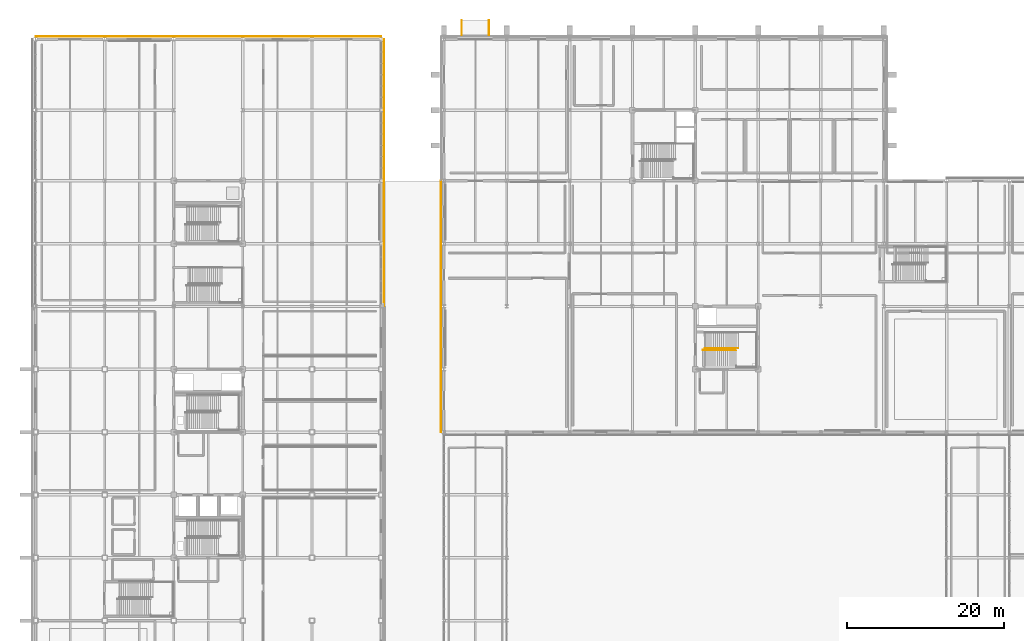
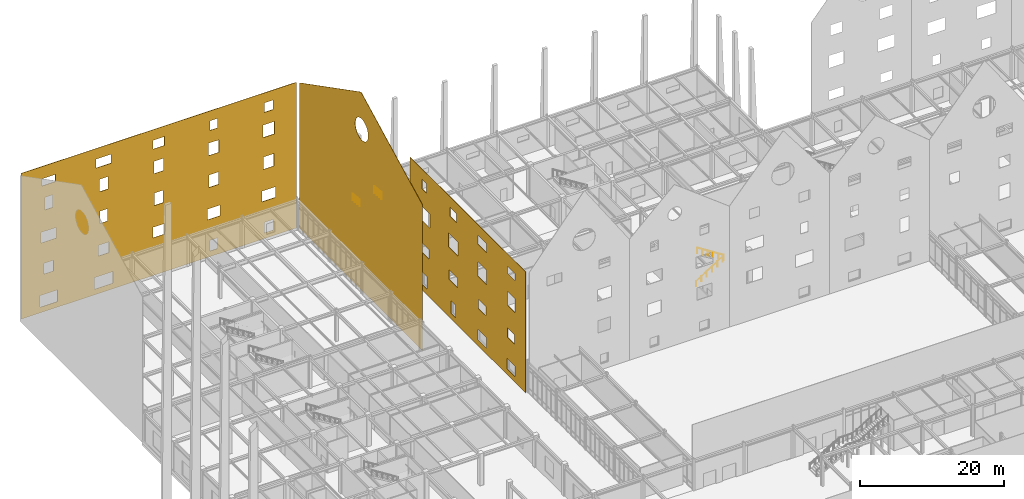
# One storey, part 110 of 119: 4 railings, 3 coverings, 41 openings.
"""IFC4 building model written with IfcOpenShell, lengths in metres."""

from ifc_helpers import new_model, si_unit, direction, frame, frame_2d, origin, origin_2d, place, context, subcontext, project, spatial, polyline, rectangle, circle, outline, extrude, material, layer, layer_set, type_object, element, save


model = new_model("IFC4")

# Units and contexts
model_context = context("Model", 3, precision=1e-05, world=origin(), true_north=direction((0.0, 1.0)))
body_context = subcontext(model_context, "Body", "Model", "MODEL_VIEW")
ifc_project = project(units=[si_unit("LENGTHUNIT", "METRE"), si_unit("AREAUNIT", "SQUARE_METRE"), si_unit("VOLUMEUNIT", "CUBIC_METRE"), si_unit("PLANEANGLEUNIT", "RADIAN"), si_unit("MASSUNIT", "GRAM", prefix="KILO")], contexts=[model_context])

# Site, building, storey
site_placement = place(None, origin())
site = spatial("IfcSite", under=ifc_project, at=site_placement, CompositionType="ELEMENT")
building_placement = place(site_placement, origin())
building = spatial("IfcBuilding", under=site, at=building_placement, Name="Zhaolan Boulevard Law Courts", CompositionType="ELEMENT")
storey_placement = place(building_placement, origin())
storey = spatial("IfcBuildingStorey", under=building, at=storey_placement, Name="L00", CompositionType="ELEMENT", Elevation=0.0)

# Railings
ifc_material_1 = material(Name="Brushed stainless steel tubular handrail", Category="steel")
railing_type_1 = type_object("IfcRailingType", Name="STAIR HANDRAIL 900", PredefinedType="HANDRAIL", material=ifc_material_1)
railing_1_placement = place(storey_placement, frame((84.949951171875, 72.449951171875, 0.0)))
element("IfcRailing", 1, at=railing_1_placement, inside=storey, type_object=railing_type_1, Name="Stair Handrail HR-ST08-L00-1", PredefinedType="HANDRAIL", context=body_context, shape_type="SweptSolid", body=[
    extrude(circle(Radius=0.0224609375, at=origin_2d()), frame((0.0, 0.0, 0.87744140625), z_axis=(0.843501457581, 0.0, 0.537126885437), x_axis=(0.0, 1.0, 0.0)), (0.0, 0.0, 1.0), 5.026611328125),
    extrude(circle(Radius=0.01904296875, at=origin_2d()), origin(), (0.0, 0.0, 1.0), 0.85498046875),
    extrude(circle(Radius=0.01904296875, at=origin_2d()), frame((0.847900390625, 0.0, 0.5400390625)), (0.0, 0.0, 1.0), 0.85498046875),
    extrude(circle(Radius=0.01904296875, at=origin_2d()), frame((1.696044921875, 0.0, 1.080078125)), (0.0, 0.0, 1.0), 0.85498046875),
    extrude(circle(Radius=0.01904296875, at=origin_2d()), frame((2.5439453125, 0.0, 1.619873046875)), (0.0, 0.0, 1.0), 0.85498046875),
    extrude(circle(Radius=0.01904296875, at=origin_2d()), frame((3.39208984375, 0.0, 2.159912109375)), (0.0, 0.0, 1.0), 0.85498046875),
    extrude(circle(Radius=0.01904296875, at=origin_2d()), frame((4.239990234375, 0.0, 2.699951171875)), (0.0, 0.0, 1.0), 0.85498046875),
])
railing_2_placement = place(storey_placement, frame((89.47509765625, 72.669921875, 2.699951171875)))
element("IfcRailing", 2, at=railing_2_placement, inside=storey, type_object=railing_type_1, Name="Stair Handrail HR-ST08-L00-2", PredefinedType="HANDRAIL", context=body_context, shape_type="SweptSolid", body=[
    extrude(circle(Radius=0.0224609375, at=origin_2d()), frame((0.0, 0.0, 0.87744140625), z_axis=(-0.843501457581, 0.0, 0.537126885437), x_axis=(0.0, -1.0, 0.0)), (0.0, 0.0, 1.0), 5.026611328125),
    extrude(circle(Radius=0.01904296875, at=origin_2d()), origin(), (0.0, 0.0, 1.0), 0.85498046875),
    extrude(circle(Radius=0.01904296875, at=origin_2d()), frame((-0.847900390625, 0.0, 0.5400390625)), (0.0, 0.0, 1.0), 0.85498046875),
    extrude(circle(Radius=0.01904296875, at=origin_2d()), frame((-1.696044921875, 0.0, 1.080078125)), (0.0, 0.0, 1.0), 0.85498046875),
    extrude(circle(Radius=0.01904296875, at=origin_2d()), frame((-2.5439453125, 0.0, 1.619873046875)), (0.0, 0.0, 1.0), 0.85498046875),
    extrude(circle(Radius=0.01904296875, at=origin_2d()), frame((-3.39208984375, 0.0, 2.159912109375)), (0.0, 0.0, 1.0), 0.85498046875),
    extrude(circle(Radius=0.01904296875, at=origin_2d()), frame((-4.239990234375, 0.0, 2.699951171875)), (0.0, 0.0, 1.0), 0.85498046875),
])
ifc_material_2 = material(Name="Powder-coated steel baluster guardrail", Category="steel")
railing_type_2 = type_object("IfcRailingType", Name="STAIR WELL GUARDRAIL 1120", PredefinedType="GUARDRAIL", material=ifc_material_2)
for number, where, name in (
    (3, (54.260009765625, 112.530029296875, 0.0), "Accessible Ramp Guardrail RHR-04"),
    (4, (57.739990234375, 112.530029296875, 0.0), "Accessible Ramp Guardrail RHR-04B"),
):
    element("IfcRailing", number, at=place(storey_placement, frame(where)), inside=storey, type_object=railing_type_2, Name=name, PredefinedType="GUARDRAIL", context=body_context, shape_type="SweptSolid", body=[
        extrude(circle(Radius=0.02392578125, at=origin_2d()), frame((0.0, 0.0, 1.09619140625), z_axis=(0.0, 0.996549253167, -0.083003530115), x_axis=(-1.0, 0.0, 0.0)), (0.0, 0.0, 1.0), 1.926513671875),
        extrude(circle(Radius=0.02099609375, at=origin_2d()), origin(), (0.0, 0.0, 1.0), 1.072021484375),
        extrude(circle(Radius=0.02099609375, at=origin_2d()), frame((0.0, 0.639892578125, -0.05322265625)), (0.0, 0.0, 1.0), 1.072021484375),
        extrude(circle(Radius=0.02099609375, at=origin_2d()), frame((0.0, 1.280029296875, -0.106689453125)), (0.0, 0.0, 1.0), 1.072021484375),
        extrude(circle(Radius=0.02099609375, at=origin_2d()), frame((0.0, 1.919921875, -0.159912109375)), (0.0, 0.0, 1.0), 1.072021484375),
    ])

# Covering, openings
ifc_material_3 = material(Name="Pale mist-grey standing-seam Al-Mg-Mn zinc-titanium")
ifc_layer = layer(ifc_material_3, 0.050048828125)
ifc_layer_set = layer_set([ifc_layer])
covering_type = type_object("IfcCoveringType", Name="STANDING SEAM CLADDING 50", PredefinedType="CLADDING", material=ifc_layer_set)
covering_1_placement = place(storey_placement, frame((51.635009765625, 94.0, 0.0), z_axis=(0.0, 0.0, 1.0), x_axis=(0.0, -1.0, 0.0)))
covering_1 = element("IfcCovering", 5, at=covering_1_placement, inside=storey, type_object=covering_type, Name="Standing-Seam Metal Wall Wrap SSC-029", PredefinedType="CLADDING", context=body_context, shape_type="SweptSolid", body=[
    extrude(rectangle(XDim=32.0, YDim=0.050048828125, at=frame_2d((16.0, 0.0))), origin(), (0.0, 0.0, 1.0), 20.449951171875),
])
opening_1_placement = place(storey_placement, frame((51.635009765625, 67.10009765625, 0.949951171875), z_axis=(0.0, 0.0, 1.0), x_axis=(0.0, -1.0, 0.0)))
element("IfcOpeningElement", 6, at=opening_1_placement, cuts=covering_1, Name="Cladding Void WIN-L00-055", PredefinedType="OPENING", context=body_context, shape_type="SweptSolid", body=[
    extrude(rectangle(XDim=2.199951171875, YDim=1.800048828125, at=frame_2d((1.10009765625, 0.89990234375))), frame((0.0, 0.14990234375, 0.0), z_axis=(0.0, -1.0, 0.0), x_axis=(1.0, 0.0, 0.0)), (0.0, 0.0, 1.0), 0.300048828125),
])
opening_2_placement = place(storey_placement, frame((51.635009765625, 75.199951171875, 0.949951171875), z_axis=(0.0, 0.0, 1.0), x_axis=(0.0, -1.0, 0.0)))
element("IfcOpeningElement", 7, at=opening_2_placement, cuts=covering_1, Name="Cladding Void WIN-L00-056", PredefinedType="OPENING", context=body_context, shape_type="SweptSolid", body=[
    extrude(rectangle(XDim=2.39990234375, YDim=1.800048828125, at=frame_2d((1.199951171875, 0.89990234375))), frame((0.0, 0.14990234375, 0.0), z_axis=(0.0, -1.0, 0.0), x_axis=(1.0, 0.0, 0.0)), (0.0, 0.0, 1.0), 0.300048828125),
])
opening_3_placement = place(storey_placement, frame((51.635009765625, 82.60009765625, 0.949951171875), z_axis=(0.0, 0.0, 1.0), x_axis=(0.0, -1.0, 0.0)))
element("IfcOpeningElement", 8, at=opening_3_placement, cuts=covering_1, Name="Cladding Void WIN-L00-057", PredefinedType="OPENING", context=body_context, shape_type="SweptSolid", body=[
    extrude(rectangle(XDim=1.199951171875, YDim=2.10009765625, at=frame_2d((0.60009765625, 1.050048828125))), frame((0.0, 0.14990234375, 0.0), z_axis=(0.0, -1.0, 0.0), x_axis=(1.0, 0.0, 0.0)), (0.0, 0.0, 1.0), 0.300048828125),
])
opening_4_placement = place(storey_placement, frame((51.635009765625, 90.675048828125, 0.949951171875), z_axis=(0.0, 0.0, 1.0), x_axis=(0.0, -1.0, 0.0)))
element("IfcOpeningElement", 9, at=opening_4_placement, cuts=covering_1, Name="Cladding Void WIN-L00-058", PredefinedType="OPENING", context=body_context, shape_type="SweptSolid", body=[
    extrude(rectangle(XDim=1.35009765625, YDim=2.10009765625, at=frame_2d((0.675048828125, 1.050048828125))), frame((0.0, 0.14990234375, 0.0), z_axis=(0.0, -1.0, 0.0), x_axis=(1.0, 0.0, 0.0)), (0.0, 0.0, 1.0), 0.300048828125),
])
opening_5_placement = place(storey_placement, frame((51.635009765625, 66.949951171875, 6.35009765625), z_axis=(0.0, 0.0, 1.0), x_axis=(0.0, -1.0, 0.0)))
element("IfcOpeningElement", 10, at=opening_5_placement, cuts=covering_1, Name="Cladding Void WIN-L01-086", PredefinedType="OPENING", context=body_context, shape_type="SweptSolid", body=[
    extrude(rectangle(XDim=1.89990234375, YDim=1.60009765625, at=frame_2d((0.949951171875, 0.800048828125))), frame((0.0, 0.14990234375, 0.0), z_axis=(0.0, -1.0, 0.0), x_axis=(1.0, 0.0, 0.0)), (0.0, 0.0, 1.0), 0.300048828125),
])
opening_6_placement = place(storey_placement, frame((51.635009765625, 75.074951171875, 6.35009765625), z_axis=(0.0, 0.0, 1.0), x_axis=(0.0, -1.0, 0.0)))
element("IfcOpeningElement", 11, at=opening_6_placement, cuts=covering_1, Name="Cladding Void WIN-L01-087", PredefinedType="OPENING", context=body_context, shape_type="SweptSolid", body=[
    extrude(rectangle(XDim=2.14990234375, YDim=1.60009765625, at=frame_2d((1.074951171875, 0.800048828125))), frame((0.0, 0.14990234375, 0.0), z_axis=(0.0, -1.0, 0.0), x_axis=(1.0, 0.0, 0.0)), (0.0, 0.0, 1.0), 0.300048828125),
])
opening_7_placement = place(storey_placement, frame((51.635009765625, 83.14990234375, 6.35009765625), z_axis=(0.0, 0.0, 1.0), x_axis=(0.0, -1.0, 0.0)))
element("IfcOpeningElement", 12, at=opening_7_placement, cuts=covering_1, Name="Cladding Void WIN-L01-088", PredefinedType="OPENING", context=body_context, shape_type="SweptSolid", body=[
    extrude(rectangle(XDim=2.300048828125, YDim=1.60009765625, at=frame_2d((1.14990234375, 0.800048828125))), frame((0.0, 0.14990234375, 0.0), z_axis=(0.0, -1.0, 0.0), x_axis=(1.0, 0.0, 0.0)), (0.0, 0.0, 1.0), 0.300048828125),
])
opening_8_placement = place(storey_placement, frame((51.635009765625, 91.25, 6.35009765625), z_axis=(0.0, 0.0, 1.0), x_axis=(0.0, -1.0, 0.0)))
element("IfcOpeningElement", 13, at=opening_8_placement, cuts=covering_1, Name="Cladding Void WIN-L01-089", PredefinedType="OPENING", context=body_context, shape_type="SweptSolid", body=[
    extrude(rectangle(XDim=2.5, YDim=1.60009765625, at=frame_2d((1.25, 0.800048828125))), frame((0.0, 0.14990234375, 0.0), z_axis=(0.0, -1.0, 0.0), x_axis=(1.0, 0.0, 0.0)), (0.0, 0.0, 1.0), 0.300048828125),
])
opening_9_placement = place(storey_placement, frame((51.635009765625, 67.050048828125, 11.75), z_axis=(0.0, 0.0, 1.0), x_axis=(0.0, -1.0, 0.0)))
element("IfcOpeningElement", 14, at=opening_9_placement, cuts=covering_1, Name="Cladding Void WIN-L02-119", PredefinedType="OPENING", context=body_context, shape_type="SweptSolid", body=[
    extrude(rectangle(XDim=2.10009765625, YDim=2.39990234375, at=frame_2d((1.050048828125, 1.199951171875))), frame((0.0, 0.14990234375, 0.0), z_axis=(0.0, -1.0, 0.0), x_axis=(1.0, 0.0, 0.0)), (0.0, 0.0, 1.0), 0.300048828125),
])
opening_10_placement = place(storey_placement, frame((51.635009765625, 75.199951171875, 11.75), z_axis=(0.0, 0.0, 1.0), x_axis=(0.0, -1.0, 0.0)))
element("IfcOpeningElement", 15, at=opening_10_placement, cuts=covering_1, Name="Cladding Void WIN-L02-120", PredefinedType="OPENING", context=body_context, shape_type="SweptSolid", body=[
    extrude(rectangle(XDim=2.39990234375, YDim=2.39990234375, at=frame_2d((1.199951171875, 1.199951171875))), frame((0.0, 0.14990234375, 0.0), z_axis=(0.0, -1.0, 0.0), x_axis=(1.0, 0.0, 0.0)), (0.0, 0.0, 1.0), 0.300048828125),
])
opening_11_placement = place(storey_placement, frame((51.635009765625, 83.35009765625, 11.75), z_axis=(0.0, 0.0, 1.0), x_axis=(0.0, -1.0, 0.0)))
element("IfcOpeningElement", 16, at=opening_11_placement, cuts=covering_1, Name="Cladding Void WIN-L02-121", PredefinedType="OPENING", context=body_context, shape_type="SweptSolid", body=[
    extrude(rectangle(XDim=2.699951171875, YDim=2.39990234375, at=frame_2d((1.35009765625, 1.199951171875))), frame((0.0, 0.14990234375, 0.0), z_axis=(0.0, -1.0, 0.0), x_axis=(1.0, 0.0, 0.0)), (0.0, 0.0, 1.0), 0.300048828125),
])
opening_12_placement = place(storey_placement, frame((51.635009765625, 91.5, 11.75), z_axis=(0.0, 0.0, 1.0), x_axis=(0.0, -1.0, 0.0)))
element("IfcOpeningElement", 17, at=opening_12_placement, cuts=covering_1, Name="Cladding Void WIN-L02-122", PredefinedType="OPENING", context=body_context, shape_type="SweptSolid", body=[
    extrude(rectangle(XDim=3.0, YDim=2.39990234375, at=frame_2d((1.5, 1.199951171875))), frame((0.0, 0.14990234375, 0.0), z_axis=(0.0, -1.0, 0.0), x_axis=(1.0, 0.0, 0.0)), (0.0, 0.0, 1.0), 0.300048828125),
])
opening_13_placement = place(storey_placement, frame((51.635009765625, 67.050048828125, 17.14990234375), z_axis=(0.0, 0.0, 1.0), x_axis=(0.0, -1.0, 0.0)))
element("IfcOpeningElement", 18, at=opening_13_placement, cuts=covering_1, Name="Cladding Void WIN-L03-155", PredefinedType="OPENING", context=body_context, shape_type="SweptSolid", body=[
    extrude(rectangle(XDim=2.10009765625, YDim=1.199951171875, at=frame_2d((1.050048828125, 0.60009765625))), frame((0.0, 0.14990234375, 0.0), z_axis=(0.0, -1.0, 0.0), x_axis=(1.0, 0.0, 0.0)), (0.0, 0.0, 1.0), 0.300048828125),
])
opening_14_placement = place(storey_placement, frame((51.635009765625, 75.199951171875, 17.14990234375), z_axis=(0.0, 0.0, 1.0), x_axis=(0.0, -1.0, 0.0)))
element("IfcOpeningElement", 19, at=opening_14_placement, cuts=covering_1, Name="Cladding Void WIN-L03-156", PredefinedType="OPENING", context=body_context, shape_type="SweptSolid", body=[
    extrude(rectangle(XDim=2.39990234375, YDim=1.5, at=frame_2d((1.199951171875, 0.75))), frame((0.0, 0.14990234375, 0.0), z_axis=(0.0, -1.0, 0.0), x_axis=(1.0, 0.0, 0.0)), (0.0, 0.0, 1.0), 0.300048828125),
])
opening_15_placement = place(storey_placement, frame((51.635009765625, 82.89990234375, 17.14990234375), z_axis=(0.0, 0.0, 1.0), x_axis=(0.0, -1.0, 0.0)))
element("IfcOpeningElement", 20, at=opening_15_placement, cuts=covering_1, Name="Cladding Void WIN-L03-157", PredefinedType="OPENING", context=body_context, shape_type="SweptSolid", body=[
    extrude(rectangle(XDim=1.800048828125, YDim=1.5, at=frame_2d((0.89990234375, 0.75))), frame((0.0, 0.14990234375, 0.0), z_axis=(0.0, -1.0, 0.0), x_axis=(1.0, 0.0, 0.0)), (0.0, 0.0, 1.0), 0.300048828125),
])
opening_16_placement = place(storey_placement, frame((51.635009765625, 90.625, 17.14990234375), z_axis=(0.0, 0.0, 1.0), x_axis=(0.0, -1.0, 0.0)))
element("IfcOpeningElement", 21, at=opening_16_placement, cuts=covering_1, Name="Cladding Void WIN-L03-158", PredefinedType="OPENING", context=body_context, shape_type="SweptSolid", body=[
    extrude(rectangle(XDim=1.25, YDim=1.60009765625, at=frame_2d((0.625, 0.800048828125))), frame((0.0, 0.14990234375, 0.0), z_axis=(0.0, -1.0, 0.0), x_axis=(1.0, 0.0, 0.0)), (0.0, 0.0, 1.0), 0.300048828125),
])

# Covering, opening
covering_2_placement = place(storey_placement, frame((44.364990234375, 78.0, 0.0), z_axis=(0.0, 0.0, 1.0), x_axis=(0.0, 1.0, 0.0)))
covering_2 = element("IfcCovering", 22, at=covering_2_placement, inside=storey, type_object=covering_type, Name="Standing-Seam Metal Wall Wrap SSC-032", PredefinedType="CLADDING", context=body_context, shape_type="SweptSolid", body=[
    extrude(outline(polyline([(0.0, 0.0), (34.0, 0.0), (34.0, 24.64990234375), (17.0, 33.39990234375), (0.0, 24.64990234375), (0.0, 0.0)])), frame((0.0, 0.02490234375, 0.0), z_axis=(0.0, -1.0, 0.0), x_axis=(1.0, 0.0, 0.0)), (0.0, 0.0, 1.0), 0.050048828125),
])
opening_17_placement = place(storey_placement, frame((44.364990234375, 93.01806640625, 25.3701171875), z_axis=(0.0, 0.0, 1.0), x_axis=(0.0, 1.0, 0.0)))
element("IfcOpeningElement", 23, at=opening_17_placement, cuts=covering_2, Name="Cladding Void OC-LIBE", PredefinedType="OPENING", context=body_context, shape_type="SweptSolid", body=[
    extrude(outline(polyline([(3.60009765625, 1.800048828125), (3.57275390625, 2.112548828125), (3.491455078125, 2.41552734375), (3.35888671875, 2.699951171875), (3.178955078125, 2.95703125), (2.95703125, 3.178955078125), (2.699951171875, 3.35888671875), (2.41552734375, 3.491455078125), (2.112548828125, 3.57275390625), (1.800048828125, 3.60009765625), (1.487548828125, 3.57275390625), (1.184326171875, 3.491455078125), (0.89990234375, 3.35888671875), (0.64306640625, 3.178955078125), (0.421142578125, 2.95703125), (0.2412109375, 2.699951171875), (0.108642578125, 2.41552734375), (0.02734375, 2.112548828125), (0.0, 1.800048828125), (0.02734375, 1.487548828125), (0.108642578125, 1.184326171875), (0.2412109375, 0.89990234375), (0.421142578125, 0.64306640625), (0.64306640625, 0.421142578125), (0.89990234375, 0.2412109375), (1.184326171875, 0.108642578125), (1.487548828125, 0.02734375), (1.800048828125, 0.0), (2.112548828125, 0.02734375), (2.41552734375, 0.108642578125), (2.699951171875, 0.2412109375), (2.95703125, 0.421142578125), (3.178955078125, 0.64306640625), (3.35888671875, 0.89990234375), (3.491455078125, 1.184326171875), (3.57275390625, 1.487548828125), (3.60009765625, 1.800048828125)])), frame((0.0, 0.14990234375, 0.0), z_axis=(0.0, -1.0, 0.0), x_axis=(1.0, 0.0, 0.0)), (0.0, 0.0, 1.0), 0.300048828125),
])

# Covering, openings
covering_3_placement = place(storey_placement, frame((44.0, 112.364990234375, 0.0), z_axis=(0.0, 0.0, 1.0), x_axis=(-1.0, 0.0, 0.0)))
covering_3 = element("IfcCovering", 24, at=covering_3_placement, inside=storey, type_object=covering_type, Name="Standing-Seam Metal Wall Wrap SSC-033", PredefinedType="CLADDING", context=body_context, shape_type="SweptSolid", body=[
    extrude(rectangle(XDim=44.0, YDim=0.050048828125, at=frame_2d((22.0, 0.0))), origin(), (0.0, 0.0, 1.0), 24.64990234375),
])
opening_18_placement = place(storey_placement, frame((5.77490234375, 112.364990234375, 0.949951171875), z_axis=(0.0, 0.0, 1.0), x_axis=(-1.0, 0.0, 0.0)))
element("IfcOpeningElement", 25, at=opening_18_placement, cuts=covering_3, Name="Cladding Void WIN-L00-194", PredefinedType="OPENING", context=body_context, shape_type="SweptSolid", body=[
    extrude(rectangle(XDim=2.75, YDim=1.949951171875, at=frame_2d((1.375, 0.97509765625))), frame((0.0, 0.14990234375, 0.0), z_axis=(0.0, -1.0, 0.0), x_axis=(1.0, 0.0, 0.0)), (0.0, 0.0, 1.0), 0.300048828125),
])
opening_19_placement = place(storey_placement, frame((14.64990234375, 112.364990234375, 0.949951171875), z_axis=(0.0, 0.0, 1.0), x_axis=(-1.0, 0.0, 0.0)))
element("IfcOpeningElement", 26, at=opening_19_placement, cuts=covering_3, Name="Cladding Void WIN-L00-195", PredefinedType="OPENING", context=body_context, shape_type="SweptSolid", body=[
    extrude(rectangle(XDim=2.89990234375, YDim=1.949951171875, at=frame_2d((1.449951171875, 0.97509765625))), frame((0.0, 0.14990234375, 0.0), z_axis=(0.0, -1.0, 0.0), x_axis=(1.0, 0.0, 0.0)), (0.0, 0.0, 1.0), 0.300048828125),
])
opening_20_placement = place(storey_placement, frame((31.39990234375, 112.364990234375, 0.949951171875), z_axis=(0.0, 0.0, 1.0), x_axis=(-1.0, 0.0, 0.0)))
element("IfcOpeningElement", 27, at=opening_20_placement, cuts=covering_3, Name="Cladding Void WIN-L00-196", PredefinedType="OPENING", context=body_context, shape_type="SweptSolid", body=[
    extrude(rectangle(XDim=1.199951171875, YDim=1.800048828125, at=frame_2d((0.60009765625, 0.89990234375))), frame((0.0, 0.14990234375, 0.0), z_axis=(0.0, -1.0, 0.0), x_axis=(1.0, 0.0, 0.0)), (0.0, 0.0, 1.0), 0.300048828125),
])
opening_21_placement = place(storey_placement, frame((40.27490234375, 112.364990234375, 0.949951171875), z_axis=(0.0, 0.0, 1.0), x_axis=(-1.0, 0.0, 0.0)))
element("IfcOpeningElement", 28, at=opening_21_placement, cuts=covering_3, Name="Cladding Void WIN-L00-197", PredefinedType="OPENING", context=body_context, shape_type="SweptSolid", body=[
    extrude(rectangle(XDim=1.35009765625, YDim=1.800048828125, at=frame_2d((0.675048828125, 0.89990234375))), frame((0.0, 0.14990234375, 0.0), z_axis=(0.0, -1.0, 0.0), x_axis=(1.0, 0.0, 0.0)), (0.0, 0.0, 1.0), 0.300048828125),
])
opening_22_placement = place(storey_placement, frame((5.14990234375, 112.364990234375, 6.35009765625), z_axis=(0.0, 0.0, 1.0), x_axis=(-1.0, 0.0, 0.0)))
element("IfcOpeningElement", 29, at=opening_22_placement, cuts=covering_3, Name="Cladding Void WIN-L01-198", PredefinedType="OPENING", context=body_context, shape_type="SweptSolid", body=[
    extrude(rectangle(XDim=1.5, YDim=1.800048828125, at=frame_2d((0.75, 0.89990234375))), frame((0.0, 0.14990234375, 0.0), z_axis=(0.0, -1.0, 0.0), x_axis=(1.0, 0.0, 0.0)), (0.0, 0.0, 1.0), 0.300048828125),
])
opening_23_placement = place(storey_placement, frame((14.02490234375, 112.364990234375, 6.35009765625), z_axis=(0.0, 0.0, 1.0), x_axis=(-1.0, 0.0, 0.0)))
element("IfcOpeningElement", 30, at=opening_23_placement, cuts=covering_3, Name="Cladding Void WIN-L01-199", PredefinedType="OPENING", context=body_context, shape_type="SweptSolid", body=[
    extrude(rectangle(XDim=1.64990234375, YDim=1.800048828125, at=frame_2d((0.824951171875, 0.89990234375))), frame((0.0, 0.14990234375, 0.0), z_axis=(0.0, -1.0, 0.0), x_axis=(1.0, 0.0, 0.0)), (0.0, 0.0, 1.0), 0.300048828125),
])
opening_24_placement = place(storey_placement, frame((22.89990234375, 112.364990234375, 6.35009765625), z_axis=(0.0, 0.0, 1.0), x_axis=(-1.0, 0.0, 0.0)))
element("IfcOpeningElement", 31, at=opening_24_placement, cuts=covering_3, Name="Cladding Void WIN-L01-200", PredefinedType="OPENING", context=body_context, shape_type="SweptSolid", body=[
    extrude(rectangle(XDim=1.800048828125, YDim=1.800048828125, at=frame_2d((0.89990234375, 0.89990234375))), frame((0.0, 0.14990234375, 0.0), z_axis=(0.0, -1.0, 0.0), x_axis=(1.0, 0.0, 0.0)), (0.0, 0.0, 1.0), 0.300048828125),
])
opening_25_placement = place(storey_placement, frame((31.800048828125, 112.364990234375, 6.35009765625), z_axis=(0.0, 0.0, 1.0), x_axis=(-1.0, 0.0, 0.0)))
element("IfcOpeningElement", 32, at=opening_25_placement, cuts=covering_3, Name="Cladding Void WIN-L01-201", PredefinedType="OPENING", context=body_context, shape_type="SweptSolid", body=[
    extrude(rectangle(XDim=2.0, YDim=1.800048828125, at=frame_2d((1.0, 0.89990234375))), frame((0.0, 0.14990234375, 0.0), z_axis=(0.0, -1.0, 0.0), x_axis=(1.0, 0.0, 0.0)), (0.0, 0.0, 1.0), 0.300048828125),
])
opening_26_placement = place(storey_placement, frame((40.699951171875, 112.364990234375, 6.35009765625), z_axis=(0.0, 0.0, 1.0), x_axis=(-1.0, 0.0, 0.0)))
element("IfcOpeningElement", 33, at=opening_26_placement, cuts=covering_3, Name="Cladding Void WIN-L01-202", PredefinedType="OPENING", context=body_context, shape_type="SweptSolid", body=[
    extrude(rectangle(XDim=2.199951171875, YDim=1.800048828125, at=frame_2d((1.10009765625, 0.89990234375))), frame((0.0, 0.14990234375, 0.0), z_axis=(0.0, -1.0, 0.0), x_axis=(1.0, 0.0, 0.0)), (0.0, 0.0, 1.0), 0.300048828125),
])
opening_27_placement = place(storey_placement, frame((5.60009765625, 112.364990234375, 11.75), z_axis=(0.0, 0.0, 1.0), x_axis=(-1.0, 0.0, 0.0)))
element("IfcOpeningElement", 34, at=opening_27_placement, cuts=covering_3, Name="Cladding Void WIN-L02-203", PredefinedType="OPENING", context=body_context, shape_type="SweptSolid", body=[
    extrude(rectangle(XDim=2.39990234375, YDim=1.800048828125, at=frame_2d((1.199951171875, 0.89990234375))), frame((0.0, 0.14990234375, 0.0), z_axis=(0.0, -1.0, 0.0), x_axis=(1.0, 0.0, 0.0)), (0.0, 0.0, 1.0), 0.300048828125),
])
opening_28_placement = place(storey_placement, frame((13.800048828125, 112.364990234375, 11.75), z_axis=(0.0, 0.0, 1.0), x_axis=(-1.0, 0.0, 0.0)))
element("IfcOpeningElement", 35, at=opening_28_placement, cuts=covering_3, Name="Cladding Void WIN-L02-204", PredefinedType="OPENING", context=body_context, shape_type="SweptSolid", body=[
    extrude(rectangle(XDim=1.199951171875, YDim=2.10009765625, at=frame_2d((0.60009765625, 1.050048828125))), frame((0.0, 0.14990234375, 0.0), z_axis=(0.0, -1.0, 0.0), x_axis=(1.0, 0.0, 0.0)), (0.0, 0.0, 1.0), 0.300048828125),
])
opening_29_placement = place(storey_placement, frame((22.675048828125, 112.364990234375, 11.75), z_axis=(0.0, 0.0, 1.0), x_axis=(-1.0, 0.0, 0.0)))
element("IfcOpeningElement", 36, at=opening_29_placement, cuts=covering_3, Name="Cladding Void WIN-L02-205", PredefinedType="OPENING", context=body_context, shape_type="SweptSolid", body=[
    extrude(rectangle(XDim=1.35009765625, YDim=2.10009765625, at=frame_2d((0.675048828125, 1.050048828125))), frame((0.0, 0.14990234375, 0.0), z_axis=(0.0, -1.0, 0.0), x_axis=(1.0, 0.0, 0.0)), (0.0, 0.0, 1.0), 0.300048828125),
])
opening_30_placement = place(storey_placement, frame((31.550048828125, 112.364990234375, 11.75), z_axis=(0.0, 0.0, 1.0), x_axis=(-1.0, 0.0, 0.0)))
element("IfcOpeningElement", 37, at=opening_30_placement, cuts=covering_3, Name="Cladding Void WIN-L02-206", PredefinedType="OPENING", context=body_context, shape_type="SweptSolid", body=[
    extrude(rectangle(XDim=1.5, YDim=2.10009765625, at=frame_2d((0.75, 1.050048828125))), frame((0.0, 0.14990234375, 0.0), z_axis=(0.0, -1.0, 0.0), x_axis=(1.0, 0.0, 0.0)), (0.0, 0.0, 1.0), 0.300048828125),
])
opening_31_placement = place(storey_placement, frame((40.425048828125, 112.364990234375, 11.75), z_axis=(0.0, 0.0, 1.0), x_axis=(-1.0, 0.0, 0.0)))
element("IfcOpeningElement", 38, at=opening_31_placement, cuts=covering_3, Name="Cladding Void WIN-L02-207", PredefinedType="OPENING", context=body_context, shape_type="SweptSolid", body=[
    extrude(rectangle(XDim=1.64990234375, YDim=2.10009765625, at=frame_2d((0.824951171875, 1.050048828125))), frame((0.0, 0.14990234375, 0.0), z_axis=(0.0, -1.0, 0.0), x_axis=(1.0, 0.0, 0.0)), (0.0, 0.0, 1.0), 0.300048828125),
])
opening_32_placement = place(storey_placement, frame((5.0, 112.364990234375, 17.14990234375), z_axis=(0.0, 0.0, 1.0), x_axis=(-1.0, 0.0, 0.0)))
element("IfcOpeningElement", 39, at=opening_32_placement, cuts=covering_3, Name="Cladding Void WIN-L03-208", PredefinedType="OPENING", context=body_context, shape_type="SweptSolid", body=[
    extrude(rectangle(XDim=1.199951171875, YDim=2.10009765625, at=frame_2d((0.60009765625, 1.050048828125))), frame((0.0, 0.14990234375, 0.0), z_axis=(0.0, -1.0, 0.0), x_axis=(1.0, 0.0, 0.0)), (0.0, 0.0, 1.0), 0.300048828125),
])
opening_33_placement = place(storey_placement, frame((13.875, 112.364990234375, 17.14990234375), z_axis=(0.0, 0.0, 1.0), x_axis=(-1.0, 0.0, 0.0)))
element("IfcOpeningElement", 40, at=opening_33_placement, cuts=covering_3, Name="Cladding Void WIN-L03-209", PredefinedType="OPENING", context=body_context, shape_type="SweptSolid", body=[
    extrude(rectangle(XDim=1.35009765625, YDim=2.10009765625, at=frame_2d((0.675048828125, 1.050048828125))), frame((0.0, 0.14990234375, 0.0), z_axis=(0.0, -1.0, 0.0), x_axis=(1.0, 0.0, 0.0)), (0.0, 0.0, 1.0), 0.300048828125),
])
opening_34_placement = place(storey_placement, frame((22.75, 112.364990234375, 17.14990234375), z_axis=(0.0, 0.0, 1.0), x_axis=(-1.0, 0.0, 0.0)))
element("IfcOpeningElement", 41, at=opening_34_placement, cuts=covering_3, Name="Cladding Void WIN-L03-210", PredefinedType="OPENING", context=body_context, shape_type="SweptSolid", body=[
    extrude(rectangle(XDim=1.5, YDim=2.10009765625, at=frame_2d((0.75, 1.050048828125))), frame((0.0, 0.14990234375, 0.0), z_axis=(0.0, -1.0, 0.0), x_axis=(1.0, 0.0, 0.0)), (0.0, 0.0, 1.0), 0.300048828125),
])
opening_35_placement = place(storey_placement, frame((31.625, 112.364990234375, 17.14990234375), z_axis=(0.0, 0.0, 1.0), x_axis=(-1.0, 0.0, 0.0)))
element("IfcOpeningElement", 42, at=opening_35_placement, cuts=covering_3, Name="Cladding Void WIN-L03-211", PredefinedType="OPENING", context=body_context, shape_type="SweptSolid", body=[
    extrude(rectangle(XDim=1.64990234375, YDim=2.10009765625, at=frame_2d((0.824951171875, 1.050048828125))), frame((0.0, 0.14990234375, 0.0), z_axis=(0.0, -1.0, 0.0), x_axis=(1.0, 0.0, 0.0)), (0.0, 0.0, 1.0), 0.300048828125),
])
opening_36_placement = place(storey_placement, frame((40.5, 112.364990234375, 17.14990234375), z_axis=(0.0, 0.0, 1.0), x_axis=(-1.0, 0.0, 0.0)))
element("IfcOpeningElement", 43, at=opening_36_placement, cuts=covering_3, Name="Cladding Void WIN-L03-212", PredefinedType="OPENING", context=body_context, shape_type="SweptSolid", body=[
    extrude(rectangle(XDim=1.800048828125, YDim=2.10009765625, at=frame_2d((0.89990234375, 1.050048828125))), frame((0.0, 0.14990234375, 0.0), z_axis=(0.0, -1.0, 0.0), x_axis=(1.0, 0.0, 0.0)), (0.0, 0.0, 1.0), 0.300048828125),
])
opening_37_placement = place(storey_placement, frame((5.449951171875, 112.364990234375, 21.35009765625), z_axis=(0.0, 0.0, 1.0), x_axis=(-1.0, 0.0, 0.0)))
element("IfcOpeningElement", 44, at=opening_37_placement, cuts=covering_3, Name="Cladding Void WIN-L04-213", PredefinedType="OPENING", context=body_context, shape_type="SweptSolid", body=[
    extrude(rectangle(XDim=2.10009765625, YDim=1.199951171875, at=frame_2d((1.050048828125, 0.60009765625))), frame((0.0, 0.14990234375, 0.0), z_axis=(0.0, -1.0, 0.0), x_axis=(1.0, 0.0, 0.0)), (0.0, 0.0, 1.0), 0.300048828125),
])
opening_38_placement = place(storey_placement, frame((14.39990234375, 112.364990234375, 21.35009765625), z_axis=(0.0, 0.0, 1.0), x_axis=(-1.0, 0.0, 0.0)))
element("IfcOpeningElement", 45, at=opening_38_placement, cuts=covering_3, Name="Cladding Void WIN-L04-214", PredefinedType="OPENING", context=body_context, shape_type="SweptSolid", body=[
    extrude(rectangle(XDim=2.39990234375, YDim=1.5, at=frame_2d((1.199951171875, 0.75))), frame((0.0, 0.14990234375, 0.0), z_axis=(0.0, -1.0, 0.0), x_axis=(1.0, 0.0, 0.0)), (0.0, 0.0, 1.0), 0.300048828125),
])
opening_39_placement = place(storey_placement, frame((22.89990234375, 112.364990234375, 21.35009765625), z_axis=(0.0, 0.0, 1.0), x_axis=(-1.0, 0.0, 0.0)))
element("IfcOpeningElement", 46, at=opening_39_placement, cuts=covering_3, Name="Cladding Void WIN-L04-215", PredefinedType="OPENING", context=body_context, shape_type="SweptSolid", body=[
    extrude(rectangle(XDim=1.800048828125, YDim=1.5, at=frame_2d((0.89990234375, 0.75))), frame((0.0, 0.14990234375, 0.0), z_axis=(0.0, -1.0, 0.0), x_axis=(1.0, 0.0, 0.0)), (0.0, 0.0, 1.0), 0.300048828125),
])
opening_40_placement = place(storey_placement, frame((31.425048828125, 112.364990234375, 21.35009765625), z_axis=(0.0, 0.0, 1.0), x_axis=(-1.0, 0.0, 0.0)))
element("IfcOpeningElement", 47, at=opening_40_placement, cuts=covering_3, Name="Cladding Void WIN-L04-216", PredefinedType="OPENING", context=body_context, shape_type="SweptSolid", body=[
    extrude(rectangle(XDim=1.25, YDim=1.60009765625, at=frame_2d((0.625, 0.800048828125))), frame((0.0, 0.14990234375, 0.0), z_axis=(0.0, -1.0, 0.0), x_axis=(1.0, 0.0, 0.0)), (0.0, 0.0, 1.0), 0.300048828125),
])
opening_41_placement = place(storey_placement, frame((40.300048828125, 112.364990234375, 21.35009765625), z_axis=(0.0, 0.0, 1.0), x_axis=(-1.0, 0.0, 0.0)))
element("IfcOpeningElement", 48, at=opening_41_placement, cuts=covering_3, Name="Cladding Void WIN-L04-217", PredefinedType="OPENING", context=body_context, shape_type="SweptSolid", body=[
    extrude(rectangle(XDim=1.39990234375, YDim=1.60009765625, at=frame_2d((0.699951171875, 0.800048828125))), frame((0.0, 0.14990234375, 0.0), z_axis=(0.0, -1.0, 0.0), x_axis=(1.0, 0.0, 0.0)), (0.0, 0.0, 1.0), 0.300048828125),
])

save(model, "model.ifc")
